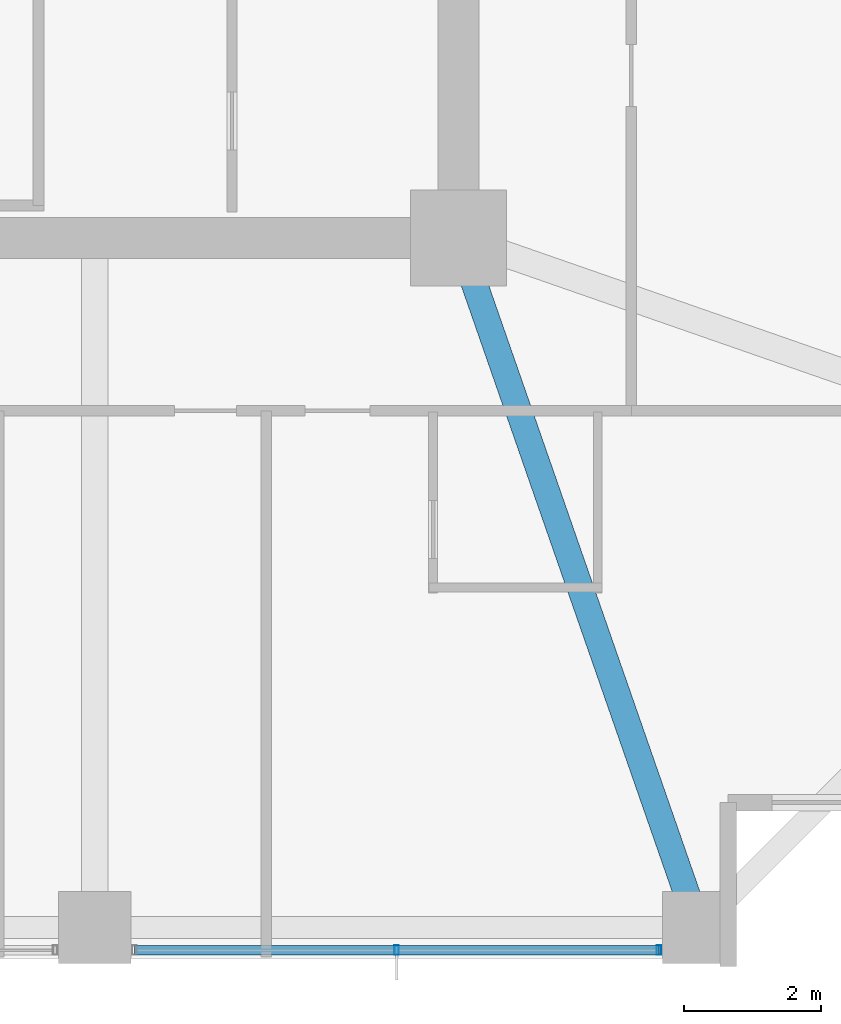
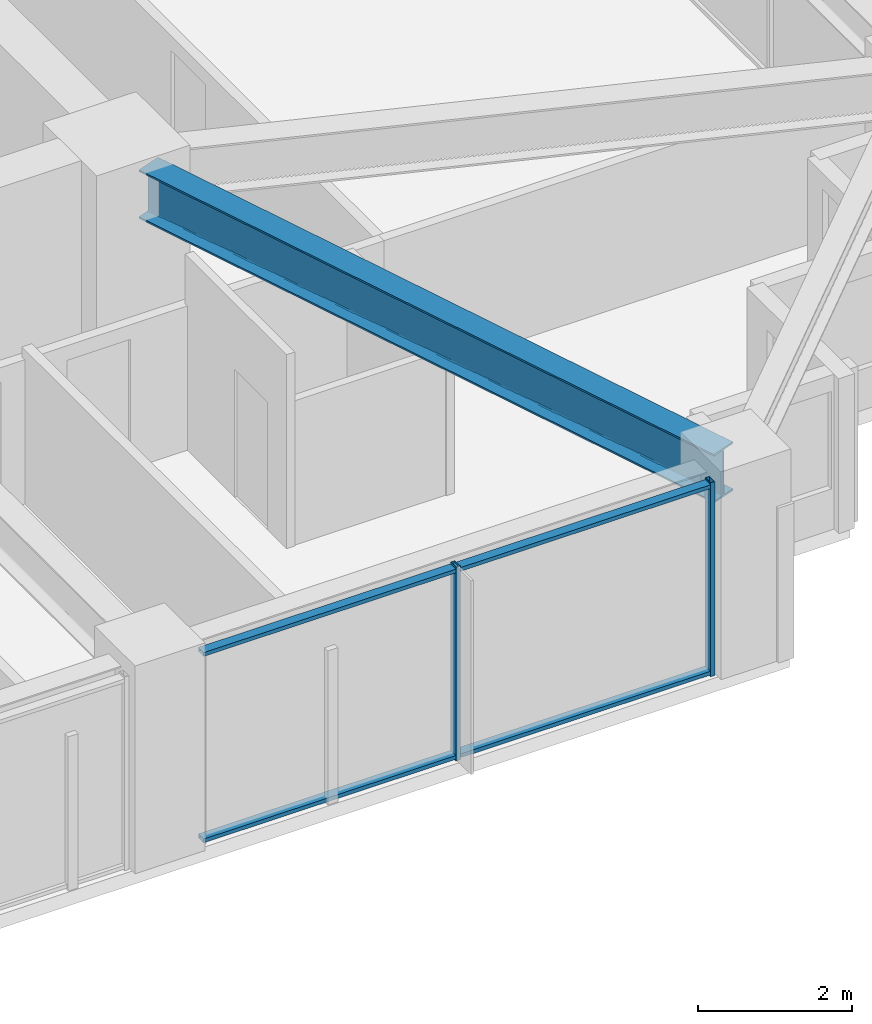
# One storey, part 12 of 36: 4 members, 1 beam, 1 element without a shape of its own.
"""IFC4 building model written with IfcOpenShell, lengths in metres."""

from ifc_helpers import new_model, si_unit, direction, frame, origin, origin_2d, place, context, subcontext, project, spatial, hollow_rectangle, i_section, extrude, material, material_profile, profile_set, type_object, element, aggregate, save


model = new_model("IFC4")

# Units and contexts
model_context = context("Model", 3, precision=1e-05, world=origin(), true_north=direction((0.0, 1.0)))
body_context = subcontext(model_context, "Body", "Model", "MODEL_VIEW")
ifc_project = project(units=[si_unit("LENGTHUNIT", "METRE"), si_unit("AREAUNIT", "SQUARE_METRE"), si_unit("VOLUMEUNIT", "CUBIC_METRE"), si_unit("PLANEANGLEUNIT", "RADIAN"), si_unit("MASSUNIT", "GRAM", prefix="KILO")], contexts=[model_context])

# Site, building, storey
site_placement = place(None, origin())
site = spatial("IfcSite", under=ifc_project, at=site_placement, CompositionType="ELEMENT")
building_placement = place(site_placement, origin())
building = spatial("IfcBuilding", under=site, at=building_placement, Name="Kolvaren Belvedere", CompositionType="ELEMENT")
storey_placement = place(building_placement, frame((0.0, 0.0, 88.699951171875)))
storey = spatial("IfcBuildingStorey", under=building, at=storey_placement, Name="L25", CompositionType="ELEMENT", Elevation=88.699951171875)

# Beam
ifc_material_1 = material(Name="Structural steel ASTM A992 Grade 50", Category="steel")
ifc_material_profile_1 = material_profile(ifc_material_1, i_section(OverallWidth=0.381103515625, OverallDepth=0.77294921875, WebThickness=0.0166015625, FlangeThickness=0.027099609375, FilletRadius=0.02392578125, at=origin_2d()), Name="W30X173")
ifc_profile_set_1 = profile_set([ifc_material_profile_1], Name="Structural steel ASTM A992 Grade 50")
beam_type = type_object("IfcBeamType", Name="BM-GIRD-W30X173", PredefinedType="BEAM", material=ifc_profile_set_1)
beam_placement = place(storey_placement, frame((10.080810546875, -10.41943359375, 2.693603515625), z_axis=(0.328880894453, -0.944371408538, 0.0), x_axis=(0.944371408538, 0.328880894453, 0.0)))
element("IfcBeam", 1, at=beam_placement, inside=storey, type_object=beam_type, Name="L25 Corner Core-to-Perimeter Girder CC2-S4", PredefinedType="BEAM", context=body_context, shape_type="SweptSolid", body=[
    extrude(i_section(OverallWidth=0.381103515625, OverallDepth=0.77294921875, WebThickness=0.0166015625, FlangeThickness=0.027099609375, FilletRadius=0.02392578125, at=origin_2d()), origin(), (0.0, 0.0, 1.0), 9.882080078125),
])

# Curtain wall, members
ifc_material_2 = material(Name="Anodised pale-metal aluminium AA 6063-T6", Category="aluminium")
curtain_wall_type = type_object("IfcCurtainWallType", Name="CW-Z2-MID", PredefinedType="NOTDEFINED", material=ifc_material_2)
curtain_wall_placement = place(storey_placement, origin())
curtain_wall = element("IfcCurtainWall", 2, at=curtain_wall_placement, inside=storey, type_object=curtain_wall_type, Name="L25 Unitised Curtain Wall FCW-L25-S-B1", PredefinedType="NOTDEFINED")
ifc_material_3 = material(Name="Anodised pale-metal aluminium AA 6063-T6", Category="aluminium")
ifc_material_profile_2 = material_profile(ifc_material_3, hollow_rectangle(XDim=0.06494140625, YDim=0.139892578125, WallThickness=0.00390625, at=origin_2d()), Name="ALU-MUL-140X65")
ifc_profile_set_2 = profile_set([ifc_material_profile_2], Name="Anodised pale-metal aluminium AA 6063-T6")
member_type_1 = type_object("IfcMemberType", Name="CW-MUL-140", PredefinedType="MULLION", material=ifc_profile_set_2)
member_1_placement = place(storey_placement, frame((12.822509765625, -20.280029296875, 0.0), z_axis=(0.0, 0.0, 1.0), x_axis=(1.0, 0.0, 0.0)))
member_1 = element("IfcMember", 3, at=member_1_placement, type_object=member_type_1, Name="FCW-L25-S-B1 Unitised Mullion 1", PredefinedType="MULLION", context=body_context, shape_type="SweptSolid", body=[
    extrude(hollow_rectangle(XDim=0.06494140625, YDim=0.139892578125, WallThickness=0.00390625, at=origin_2d()), origin(), (0.0, 0.0, 1.0), 3.080078125),
])
member_2_placement = place(storey_placement, frame((9.0, -20.280029296875, 0.0), z_axis=(0.0, 0.0, 1.0), x_axis=(1.0, 0.0, 0.0)))
member_2 = element("IfcMember", 4, at=member_2_placement, type_object=member_type_1, Name="FCW-L25-S-B1 Unitised Mullion 2", PredefinedType="MULLION", context=body_context, shape_type="SweptSolid", body=[
    extrude(hollow_rectangle(XDim=0.06494140625, YDim=0.139892578125, WallThickness=0.00390625, at=origin_2d()), origin(), (0.0, 0.0, 1.0), 3.080078125),
])
ifc_material_4 = material(Name="Anodised pale-metal aluminium AA 6063-T6", Category="aluminium")
ifc_material_profile_3 = material_profile(ifc_material_4, hollow_rectangle(XDim=0.06005859375, YDim=0.139892578125, WallThickness=0.00390625, at=origin_2d()), Name="ALU-TRN-140X60")
ifc_profile_set_3 = profile_set([ifc_material_profile_3], Name="Anodised pale-metal aluminium AA 6063-T6")
member_type_2 = type_object("IfcMemberType", Name="CW-TRN-140", PredefinedType="USERDEFINED", material=ifc_profile_set_3)
member_3_placement = place(storey_placement, frame((12.822509765625, -20.280029296875, 0.06005859375), z_axis=(-1.0, 0.0, 0.0), x_axis=(0.0, 0.0, 1.0)))
member_3 = element("IfcMember", 5, at=member_3_placement, type_object=member_type_2, Name="FCW-L25-S-B1 Sill Transom", ObjectType="TRANSOM", PredefinedType="USERDEFINED", context=body_context, shape_type="SweptSolid", body=[
    extrude(hollow_rectangle(XDim=0.06005859375, YDim=0.139892578125, WallThickness=0.00390625, at=origin_2d()), origin(), (0.0, 0.0, 1.0), 7.64501953125),
])
member_4_placement = place(storey_placement, frame((12.822509765625, -20.280029296875, 3.02001953125), z_axis=(-1.0, 0.0, 0.0), x_axis=(0.0, 0.0, 1.0)))
member_4 = element("IfcMember", 6, at=member_4_placement, type_object=member_type_2, Name="FCW-L25-S-B1 Head Transom", ObjectType="TRANSOM", PredefinedType="USERDEFINED", context=body_context, shape_type="SweptSolid", body=[
    extrude(hollow_rectangle(XDim=0.06005859375, YDim=0.139892578125, WallThickness=0.00390625, at=origin_2d()), origin(), (0.0, 0.0, 1.0), 7.64501953125),
])
aggregate(curtain_wall, [member_1, member_2, member_3, member_4])

save(model, "model.ifc")
